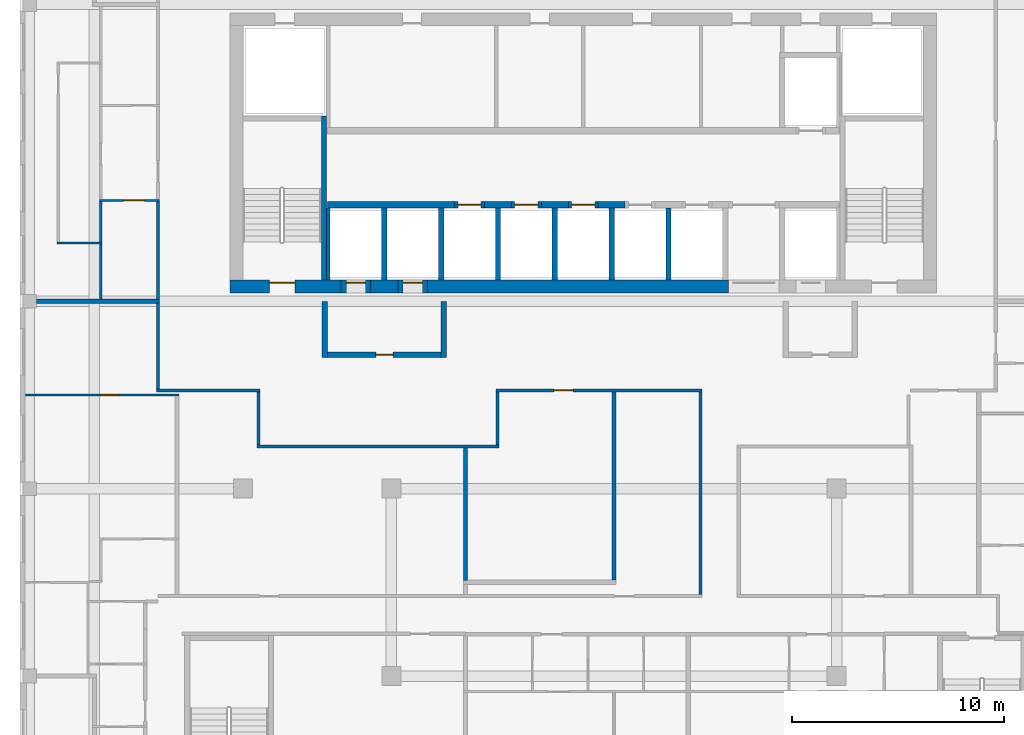
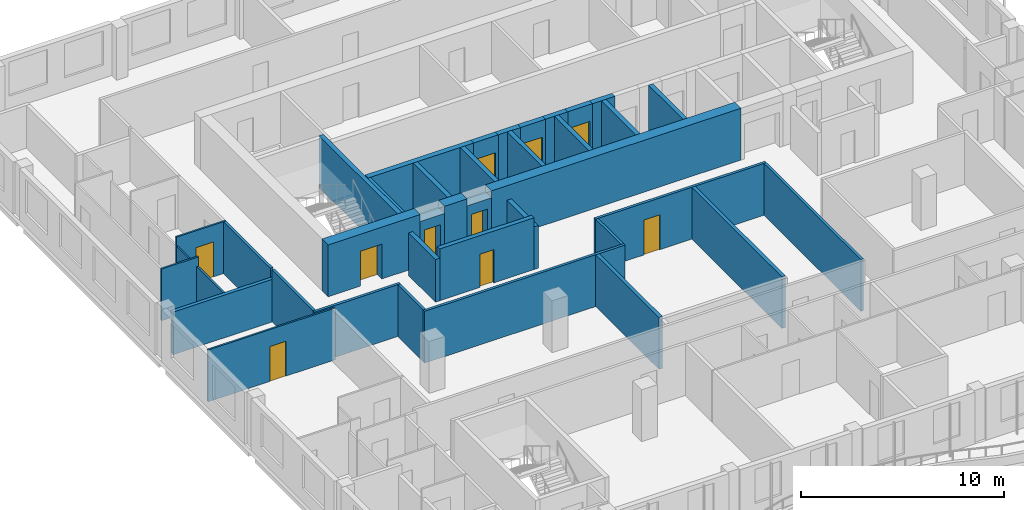
# One storey, part 4 of 18: 39 walls, 10 doors, 10 openings.
"""IFC4 building model written with IfcOpenShell, lengths in metres."""

import ifcopenshell
import ifcopenshell.guid

model = None  # the IFC model being written
_history = None  # IfcOwnerHistory: only IFC2X3 demands one
_inside = {}  # id of a spatial element -> (the spatial element, [elements in it])
_under = {}  # id of a project, library or spatial element -> (it, [spatial elements below it])
_declared = {}  # id of a project -> (the project, [libraries it declares])
_typed = {}  # id of a type object -> (the type object, [elements of that type])
_made_of = {}  # id of a material, layer set ... -> (it, [elements and type objects made of it])


def new_model(schema):
    """Start an empty IFC model of exactly this schema.

    Asked for "IFC4X3", IfcOpenShell would pick the latest addendum, in which some entities
    have other attributes; the version numbers below select the first issue.
    IFC2X3 requires an IfcOwnerHistory on every rooted entity: one is made here for all.
    """
    global model, _history
    if schema == "IFC4X3":
        model = ifcopenshell.file(schema_version=(4, 3, 0, 0))
    else:
        model = ifcopenshell.file(schema=schema)
    _inside.clear()
    _under.clear()
    _declared.clear()
    _typed.clear()
    _made_of.clear()
    _history = None
    if model.schema == "IFC2X3":
        org = make("IfcOrganization", Name="unknown")
        user = make(
            "IfcPersonAndOrganization",
            ThePerson=make("IfcPerson", FamilyName="unknown"),
            TheOrganization=org,
        )
        app = make(
            "IfcApplication",
            ApplicationDeveloper=org,
            Version="unknown",
            ApplicationFullName="unknown",
            ApplicationIdentifier="unknown",
        )
        _history = make(
            "IfcOwnerHistory",
            OwningUser=user,
            OwningApplication=app,
            ChangeAction="ADDED",
            CreationDate=0,
        )
    return model


def make(cls, **values):
    """One entity of the class cls with the attributes given. An attribute that is None is left unset."""
    return model.create_entity(
        cls, **{name: value for name, value in values.items() if value is not None}
    )


def rooted(cls, **values):
    """An entity with a GlobalId (a new one), such as an element, a storey or a relation."""
    return make(cls, GlobalId=ifcopenshell.guid.new(), OwnerHistory=_history, **values)


def si_unit(unit_type, name, prefix=None):
    """IfcSIUnit, for example si_unit("LENGTHUNIT", "METRE", prefix="MILLI")."""
    return make("IfcSIUnit", UnitType=unit_type, Prefix=prefix, Name=name)


def assignment(units):
    """IfcUnitAssignment: the units of a project."""
    return None if units is None else make("IfcUnitAssignment", Units=units)


def point(xyz):
    """IfcCartesianPoint."""
    return None if xyz is None else make("IfcCartesianPoint", Coordinates=xyz)


def direction(xyz):
    """IfcDirection."""
    return None if xyz is None else make("IfcDirection", DirectionRatios=xyz)


def frame(location, z_axis=None, x_axis=None):
    """IfcAxis2Placement3D, a coordinate frame: its origin and axes. An axis left out is left unset."""
    return make(
        "IfcAxis2Placement3D",
        Location=point(location),
        Axis=direction(z_axis),
        RefDirection=direction(x_axis),
    )


def frame_2d(location, x_axis=None):
    """IfcAxis2Placement2D, a coordinate frame in the plane: its origin and x axis."""
    return make(
        "IfcAxis2Placement2D", Location=point(location), RefDirection=direction(x_axis)
    )


def origin():
    """The frame at (0, 0, 0) with its axes left unset."""
    return frame((0.0, 0.0, 0.0))


def place(relative_to, where):
    """IfcLocalPlacement: puts the frame where relative to a parent placement (None: the world)."""
    return make(
        "IfcLocalPlacement", PlacementRelTo=relative_to, RelativePlacement=where
    )


def context(
    kind, dimensions, precision=None, world=None, true_north=None, identifier=None
):
    """IfcGeometricRepresentationContext, for example the 3D "Model" context."""
    return make(
        "IfcGeometricRepresentationContext",
        ContextIdentifier=identifier,
        ContextType=kind,
        CoordinateSpaceDimension=dimensions,
        Precision=precision,
        WorldCoordinateSystem=world,
        TrueNorth=true_north,
    )


def subcontext(parent, identifier, kind, view, scale=None):
    """IfcGeometricRepresentationSubContext, for example "Body" below "Model"."""
    return make(
        "IfcGeometricRepresentationSubContext",
        ContextIdentifier=identifier,
        ContextType=kind,
        ParentContext=parent,
        TargetScale=scale,
        TargetView=view,
    )


def project(units=None, contexts=None):
    """IfcProject with its units and contexts."""
    return rooted(
        "IfcProject",
        Name="project",
        RepresentationContexts=contexts,
        UnitsInContext=assignment(units),
    )


def spatial(cls, under=None, at=None, **own):
    """A site, building, storey or space (cls), placed at a placement, below another one or the project."""
    s = rooted(cls, ObjectPlacement=at, **own)
    if under is not None:
        _under.setdefault(under.id(), (under, []))[1].append(s)
    return s


def profile(cls, at=None, kind="AREA", **sizes):
    """A parametric profile (cls). Its sizes go by their IFC names, for example OverallWidth=200.0."""
    return make(cls, ProfileType=kind, Position=at, **sizes)


def rectangle(**sizes):
    """IfcRectangleProfileDef."""
    return profile("IfcRectangleProfileDef", **sizes)


def extrude(swept, where, along, depth):
    """IfcExtrudedAreaSolid: the profile swept, set in the frame where, extruded along a direction by depth."""
    return make(
        "IfcExtrudedAreaSolid",
        SweptArea=swept,
        Position=where,
        ExtrudedDirection=direction(along),
        Depth=depth,
    )


def shape(context_of_items, identifier, shape_type, items):
    """IfcShapeRepresentation: the items that make up one representation, for example the "Body"."""
    return make(
        "IfcShapeRepresentation",
        ContextOfItems=context_of_items,
        RepresentationIdentifier=identifier,
        RepresentationType=shape_type,
        Items=items,
    )


def source(mapping_origin, context_of_items, identifier, shape_type, items):
    """IfcRepresentationMap: a shape defined once, which mapped items show again and again."""
    return make(
        "IfcRepresentationMap",
        MappingOrigin=mapping_origin,
        MappedRepresentation=shape(context_of_items, identifier, shape_type, items),
    )


def transform(
    local_origin,
    x_axis=None,
    y_axis=None,
    z_axis=None,
    scale=None,
    scale2=None,
    scale3=None,
    uniform=True,
):
    """IfcCartesianTransformationOperator3D, or its non-uniform kind. x_axis, y_axis, z_axis: its Axis1, 2, 3."""
    if uniform:
        return make(
            "IfcCartesianTransformationOperator3D",
            Axis1=direction(x_axis),
            Axis2=direction(y_axis),
            LocalOrigin=point(local_origin),
            Scale=scale,
            Axis3=direction(z_axis),
        )
    return make(
        "IfcCartesianTransformationOperator3DnonUniform",
        Axis1=direction(x_axis),
        Axis2=direction(y_axis),
        LocalOrigin=point(local_origin),
        Scale=scale,
        Axis3=direction(z_axis),
        Scale2=scale2,
        Scale3=scale3,
    )


def mapped(mapping_source, mapping_target):
    """IfcMappedItem: shows the shape of a source again, moved by a transform."""
    return make(
        "IfcMappedItem", MappingSource=mapping_source, MappingTarget=mapping_target
    )


def material(Name=None, Category=None):
    """IfcMaterial."""
    return make("IfcMaterial", Name=Name, Category=Category)


def layer(
    of_material, thickness, ventilated=None, Name=None, Category=None, Priority=None
):
    """IfcMaterialLayer: one layer of a wall or slab, of a material (None: an air gap)."""
    return make(
        "IfcMaterialLayer",
        Material=of_material,
        LayerThickness=thickness,
        IsVentilated=ventilated,
        Name=Name,
        Category=Category,
        Priority=Priority,
    )


def layer_set(layers, Name=None):
    """IfcMaterialLayerSet."""
    return make("IfcMaterialLayerSet", MaterialLayers=layers, LayerSetName=Name)


def made_of(thing, what):
    """Note that an element or type object is made of a material, layer set ...; save() writes the relation."""
    if what is not None:
        _made_of.setdefault(what.id(), (what, []))[1].append(thing)
    return thing


def type_object(cls, material=None, **own):
    """A type object (cls), such as IfcWallType, which elements share."""
    return made_of(rooted(cls, **own), material)


def element(
    cls,
    number,
    at=None,
    inside=None,
    cuts=None,
    type_object=None,
    material=None,
    context=None,
    identifier="Body",
    shape_type=None,
    held_by="IfcProductDefinitionShape",
    body=None,
    shapes=None,
    **own,
):
    """One element of the class cls, such as IfcWall. Its Tag is "e" and its number.

    at: its placement. inside: the storey or other place that contains it. cuts: it is an
    opening in that element (IfcRelVoidsElement). A single representation is given by context,
    identifier, shape_type and body (its items); several are given by shapes. held_by: the class
    of the entity that holds the representations. save() writes the other relations.
    """
    e = rooted(cls, Tag="e%d" % number, ObjectPlacement=at, **own)
    if body is not None:
        shapes = [shape(context, identifier, shape_type, body)]
    if shapes is not None:
        e.Representation = make(held_by, Representations=shapes)
    if inside is not None:
        _inside.setdefault(inside.id(), (inside, []))[1].append(e)
    if cuts is not None:
        rooted(
            "IfcRelVoidsElement", RelatingBuildingElement=cuts, RelatedOpeningElement=e
        )
    if type_object is not None:
        _typed.setdefault(type_object.id(), (type_object, []))[1].append(e)
    return made_of(e, material)


def fill(opening, filler):
    """IfcRelFillsElement: the door or window that sits in an opening."""
    return rooted(
        "IfcRelFillsElement",
        RelatingOpeningElement=opening,
        RelatedBuildingElement=filler,
    )


def aggregate(whole, parts):
    """IfcRelAggregates: a whole, such as a stair, and the parts it consists of."""
    return rooted("IfcRelAggregates", RelatingObject=whole, RelatedObjects=parts)


def save(model, path):
    """Write the relations noted so far, then the file.

    IfcRelAggregates (storeys below a building ...), IfcRelContainedInSpatialStructure (elements
    in a storey), IfcRelDefinesByType, IfcRelAssociatesMaterial and IfcRelDeclares: one each for
    every whole, place, type object, material and project.
    """
    for whole, parts in _under.values():
        aggregate(whole, parts)
    for where, things in _inside.values():
        rooted(
            "IfcRelContainedInSpatialStructure",
            RelatedElements=things,
            RelatingStructure=where,
        )
    for kind, things in _typed.values():
        rooted("IfcRelDefinesByType", RelatedObjects=things, RelatingType=kind)
    for what, things in _made_of.values():
        rooted("IfcRelAssociatesMaterial", RelatedObjects=things, RelatingMaterial=what)
    for by, libraries in _declared.values():
        rooted("IfcRelDeclares", RelatingContext=by, RelatedDefinitions=libraries)
    model.write(path)


model = new_model("IFC4")

# Units and contexts
model_context = context("Model", 3, precision=1e-05, world=origin(), true_north=direction((0.0, 1.0)))
body_context = subcontext(model_context, "Body", "Model", "MODEL_VIEW")
ifc_project = project(units=[si_unit("LENGTHUNIT", "METRE"), si_unit("AREAUNIT", "SQUARE_METRE"), si_unit("VOLUMEUNIT", "CUBIC_METRE"), si_unit("PLANEANGLEUNIT", "RADIAN"), si_unit("MASSUNIT", "GRAM", prefix="KILO")], contexts=[model_context])

# Site, building, storey
site_placement = place(None, origin())
site = spatial("IfcSite", under=ifc_project, at=site_placement, CompositionType="ELEMENT")
building_placement = place(site_placement, origin())
building = spatial("IfcBuilding", under=site, at=building_placement, Name="Kilnfold Tower and Market Hall", CompositionType="ELEMENT")
storey_placement = place(building_placement, frame((0.0, 0.0, 270.39990234375)))
storey = spatial("IfcBuildingStorey", under=building, at=storey_placement, Name="L66", CompositionType="ELEMENT", Elevation=270.39990234375)

# Walls
ifc_material_1 = material(Name="Gypsum board on steel studs", Category="steel")
ifc_layer_1 = layer(ifc_material_1, 0.14990234375)
ifc_layer_set_1 = layer_set([ifc_layer_1], Name="Gypsum board on steel studs")
wall_type_1 = type_object("IfcWallType", Name="WALL CORRIDOR 150", PredefinedType="PARTITIONING", material=ifc_layer_set_1)
wall_1_placement = place(storey_placement, frame((-19.074951171875, 3.800048828125, 0.0), z_axis=(0.0, 0.0, 1.0), x_axis=(1.0, 0.0, 0.0)))
element("IfcWall", 1, at=wall_1_placement, inside=storey, type_object=wall_type_1, Name="Partition LY41.7", PredefinedType="PARTITIONING", context=body_context, shape_type="SweptSolid", body=[
    extrude(rectangle(XDim=4.889892578125, YDim=0.14990234375, at=frame_2d((2.44482421875, 0.0))), origin(), (0.0, 0.0, 1.0), 3.1201171875),
])
wall_2_placement = place(storey_placement, frame((-19.0, 3.875, 0.0), z_axis=(0.0, 0.0, 1.0), x_axis=(0.0, 1.0, 0.0)))
element("IfcWall", 2, at=wall_2_placement, inside=storey, type_object=wall_type_1, Name="Partition LY41.8", PredefinedType="PARTITIONING", context=body_context, shape_type="SweptSolid", body=[
    extrude(rectangle(XDim=4.034912109375, YDim=0.14990234375, at=frame_2d((2.017578125, 0.0))), origin(), (0.0, 0.0, 1.0), 3.1201171875),
])
wall_3_placement = place(storey_placement, frame((-19.0, 8.090087890625, 0.0), z_axis=(0.0, 0.0, 1.0), x_axis=(0.0, 1.0, 0.0)))
element("IfcWall", 3, at=wall_3_placement, inside=storey, type_object=wall_type_1, Name="Partition LY41.24", PredefinedType="PARTITIONING", context=body_context, shape_type="SweptSolid", body=[
    extrude(rectangle(XDim=4.6298828125, YDim=0.14990234375, at=frame_2d((2.31494140625, 0.0))), origin(), (0.0, 0.0, 1.0), 3.1201171875),
])
wall_4_placement = place(storey_placement, frame((-14.3349609375, 1.14990234375, 0.0), z_axis=(0.0, 0.0, 1.0), x_axis=(1.0, 0.0, 0.0)))
element("IfcWall", 4, at=wall_4_placement, inside=storey, type_object=wall_type_1, Name="Partition LY41.27", PredefinedType="PARTITIONING", context=body_context, shape_type="SweptSolid", body=[
    extrude(rectangle(XDim=11.409912109375, YDim=0.14990234375, at=frame_2d((5.705078125, 0.0))), origin(), (0.0, 0.0, 1.0), 3.1201171875),
])
wall_5_placement = place(storey_placement, frame((-14.260009765625, 3.72509765625, 0.0), z_axis=(0.0, 0.0, 1.0), x_axis=(0.0, -1.0, 0.0)))
element("IfcWall", 5, at=wall_5_placement, inside=storey, type_object=wall_type_1, Name="Partition LY41.28", PredefinedType="PARTITIONING", context=body_context, shape_type="SweptSolid", body=[
    extrude(rectangle(XDim=2.5, YDim=0.14990234375, at=frame_2d((1.25, 0.0))), origin(), (0.0, 0.0, 1.0), 3.1201171875),
])

# Wall, opening, door
wall_6_placement = place(storey_placement, frame((-3.074951171875, 3.800048828125, 0.0), z_axis=(0.0, 0.0, 1.0), x_axis=(1.0, 0.0, 0.0)))
wall_6 = element("IfcWall", 6, at=wall_6_placement, inside=storey, type_object=wall_type_1, Name="Partition LY41.29", PredefinedType="PARTITIONING", context=body_context, shape_type="SweptSolid", body=[
    extrude(rectangle(XDim=9.72998046875, YDim=0.14990234375, at=frame_2d((4.864990234375, 0.0))), origin(), (0.0, 0.0, 1.0), 3.1201171875),
])
opening_1_placement = place(wall_6_placement, frame((2.7509765625, 0.0, 0.0)))
opening_1 = element("IfcOpeningElement", 7, at=opening_1_placement, cuts=wall_6, Name="Opening D2", PredefinedType="OPENING", context=body_context, shape_type="SweptSolid", body=[
    extrude(rectangle(XDim=0.89990234375, YDim=2.10009765625, at=frame_2d((0.449951171875, 1.050048828125))), frame((0.0, 0.0849609375, 0.0), z_axis=(0.0, -1.0, 0.0), x_axis=(1.0, 0.0, 0.0)), (0.0, 0.0, 1.0), 0.169921875),
])
ifc_material_2 = material(Name="Timber veneer door leaf in steel frame", Category="steel")
door_type_1 = type_object("IfcDoorType", Name="DOOR ROOM 900 X2100", OperationType="NOTDEFINED", PredefinedType="DOOR", material=ifc_material_2)
door_1_placement = place(opening_1_placement, origin())
door_1 = element("IfcDoor", 8, at=door_1_placement, inside=storey, type_object=door_type_1, Name="Door D2", OperationType="SINGLE_SWING_RIGHT", OverallHeight=2.10009765625, OverallWidth=0.89990234375, PredefinedType="DOOR", context=body_context, shape_type="SweptSolid", body=[
    extrude(rectangle(XDim=0.89990234375, YDim=2.10009765625, at=frame_2d((0.449951171875, 1.050048828125))), frame((0.0, 0.02490234375, 0.0), z_axis=(0.0, -1.0, 0.0), x_axis=(1.0, 0.0, 0.0)), (0.0, 0.0, 1.0), 0.050048828125),
])
fill(opening_1, door_1)

# Walls
wall_7_placement = place(storey_placement, frame((-3.0, 1.22509765625, 0.0), z_axis=(0.0, 0.0, 1.0), x_axis=(0.0, 1.0, 0.0)))
element("IfcWall", 9, at=wall_7_placement, inside=storey, type_object=wall_type_1, Name="Partition LY41.30", PredefinedType="PARTITIONING", context=body_context, shape_type="SweptSolid", body=[
    extrude(rectangle(XDim=2.5, YDim=0.14990234375, at=frame_2d((1.25, 0.0))), origin(), (0.0, 0.0, 1.0), 3.1201171875),
])
wall_8_placement = place(storey_placement, frame((6.580078125, 3.72509765625, 0.0), z_axis=(0.0, 0.0, 1.0), x_axis=(0.0, -1.0, 0.0)))
element("IfcWall", 10, at=wall_8_placement, inside=storey, type_object=wall_type_1, Name="Partition LY41.31", PredefinedType="PARTITIONING", context=body_context, shape_type="SweptSolid", body=[
    extrude(rectangle(XDim=9.550048828125, YDim=0.14990234375, at=frame_2d((4.77490234375, 0.0))), origin(), (0.0, 0.0, 1.0), 3.1201171875),
])

# Wall, opening, door
ifc_material_3 = material(Name="Gypsum board on steel studs", Category="steel")
ifc_layer_2 = layer(ifc_material_3, 0.10009765625)
ifc_layer_set_2 = layer_set([ifc_layer_2], Name="Gypsum board on steel studs")
wall_type_2 = type_object("IfcWallType", Name="WALL PARTITION 100", PredefinedType="PARTITIONING", material=ifc_layer_set_2)
wall_9_placement = place(storey_placement, frame((-18.0, 3.5830078125, 0.0), z_axis=(0.0, 0.0, 1.0), x_axis=(-1.0, 0.0, 0.0)))
wall_9 = element("IfcWall", 11, at=wall_9_placement, inside=storey, type_object=wall_type_2, Name="Partition LY41.52", PredefinedType="PARTITIONING", context=body_context, shape_type="SweptSolid", body=[
    extrude(rectangle(XDim=7.25, YDim=0.10009765625, at=frame_2d((3.625, 0.0))), origin(), (0.0, 0.0, 1.0), 3.1201171875),
])
opening_2_placement = place(wall_9_placement, frame((2.822021484375, 0.0, 0.0)))
opening_2 = element("IfcOpeningElement", 12, at=opening_2_placement, cuts=wall_9, Name="Opening D2", PredefinedType="OPENING", context=body_context, shape_type="SweptSolid", body=[
    extrude(rectangle(XDim=0.89990234375, YDim=2.10009765625, at=frame_2d((0.449951171875, 1.050048828125))), frame((0.0, 0.06005859375, 0.0), z_axis=(0.0, -1.0, 0.0), x_axis=(1.0, 0.0, 0.0)), (0.0, 0.0, 1.0), 0.1201171875),
])
door_2_placement = place(opening_2_placement, origin())
door_2 = element("IfcDoor", 13, at=door_2_placement, inside=storey, type_object=door_type_1, Name="Door D2", OperationType="SINGLE_SWING_LEFT", OverallHeight=2.10009765625, OverallWidth=0.89990234375, PredefinedType="DOOR", context=body_context, shape_type="SweptSolid", body=[
    extrude(rectangle(XDim=0.89990234375, YDim=2.10009765625, at=frame_2d((0.449951171875, 1.050048828125))), frame((0.0, 0.02490234375, 0.0), z_axis=(0.0, -1.0, 0.0), x_axis=(1.0, 0.0, 0.0)), (0.0, 0.0, 1.0), 0.050048828125),
])
fill(opening_2, door_2)

wall_10_placement = place(storey_placement, frame((-18.927001953125, 12.760009765625, 0.0), z_axis=(0.0, 0.0, 1.0), x_axis=(-1.0, 0.0, 0.0)))
wall_10 = element("IfcWall", 14, at=wall_10_placement, inside=storey, type_object=wall_type_2, Name="Partition LY41.85", PredefinedType="PARTITIONING", context=body_context, shape_type="SweptSolid", body=[
    extrude(rectangle(XDim=2.822998046875, YDim=0.10009765625, at=frame_2d((1.41162109375, 0.0))), origin(), (0.0, 0.0, 1.0), 3.1201171875),
])
opening_3_placement = place(wall_10_placement, frame((0.7080078125, 0.0, 0.0)))
opening_3 = element("IfcOpeningElement", 15, at=opening_3_placement, cuts=wall_10, Name="Opening D1", PredefinedType="OPENING", context=body_context, shape_type="SweptSolid", body=[
    extrude(rectangle(XDim=1.0, YDim=2.10009765625, at=frame_2d((0.5, 1.050048828125))), frame((0.0, 0.06005859375, 0.0), z_axis=(0.0, -1.0, 0.0), x_axis=(1.0, 0.0, 0.0)), (0.0, 0.0, 1.0), 0.1201171875),
])
ifc_material_4 = material(Name="Timber veneer door leaf in steel frame", Category="steel")
door_type_2 = type_object("IfcDoorType", Name="DOOR ENTRY 1000 X2100", OperationType="NOTDEFINED", PredefinedType="DOOR", material=ifc_material_4)
door_3_placement = place(opening_3_placement, origin())
door_3 = element("IfcDoor", 16, at=door_3_placement, inside=storey, type_object=door_type_2, Name="Door D1", OperationType="SINGLE_SWING_LEFT", OverallHeight=2.10009765625, OverallWidth=1.0, PredefinedType="DOOR", context=body_context, shape_type="SweptSolid", body=[
    extrude(rectangle(XDim=1.0, YDim=2.10009765625, at=frame_2d((0.5, 1.050048828125))), frame((0.0, 0.02490234375, 0.0), z_axis=(0.0, -1.0, 0.0), x_axis=(1.0, 0.0, 0.0)), (0.0, 0.0, 1.0), 0.050048828125),
])
fill(opening_3, door_3)

# Walls
wall_11_placement = place(storey_placement, frame((-21.699951171875, 8.10009765625, 0.0), z_axis=(0.0, 0.0, 1.0), x_axis=(0.0, 1.0, 0.0)))
element("IfcWall", 17, at=wall_11_placement, inside=storey, type_object=wall_type_2, Name="Partition LY41.86", PredefinedType="PARTITIONING", context=body_context, shape_type="SweptSolid", body=[
    extrude(rectangle(XDim=2.618896484375, YDim=0.10009765625, at=frame_2d((1.3095703125, 0.0))), origin(), (0.0, 0.0, 1.0), 2.570068359375),
])
wall_12_placement = place(storey_placement, frame((-21.699951171875, 10.800048828125, 0.0), z_axis=(0.0, 0.0, 1.0), x_axis=(0.0, 1.0, 0.0)))
element("IfcWall", 18, at=wall_12_placement, inside=storey, type_object=wall_type_2, Name="Partition LY41.87", PredefinedType="PARTITIONING", context=body_context, shape_type="SweptSolid", body=[
    extrude(rectangle(XDim=1.909912109375, YDim=0.10009765625, at=frame_2d((0.955078125, 0.0))), origin(), (0.0, 0.0, 1.0), 2.570068359375),
])
wall_13_placement = place(storey_placement, frame((-21.652099609375, 10.759033203125, 0.0), z_axis=(0.0, 0.0, 1.0), x_axis=(-1.0, 0.0, 0.0)))
element("IfcWall", 19, at=wall_13_placement, inside=storey, type_object=wall_type_2, Name="Partition LY41.94", PredefinedType="PARTITIONING", context=body_context, shape_type="SweptSolid", body=[
    extrude(rectangle(XDim=2.098876953125, YDim=0.10009765625, at=frame_2d((1.04931640625, 0.0))), origin(), (0.0, 0.0, 1.0), 3.1201171875),
])
ifc_material_5 = material(Name="Gypsum board on steel studs", Category="steel")
ifc_layer_3 = layer(ifc_material_5, 0.199951171875)
ifc_layer_set_3 = layer_set([ifc_layer_3], Name="Gypsum board on steel studs")
wall_type_3 = type_object("IfcWallType", Name="WALL PARTY 200", PredefinedType="PARTITIONING", material=ifc_layer_set_3)
wall_14_placement = place(storey_placement, frame((-24.72509765625, 8.0, 0.0), z_axis=(0.0, 0.0, 1.0), x_axis=(1.0, 0.0, 0.0)))
element("IfcWall", 20, at=wall_14_placement, inside=storey, type_object=wall_type_3, Name="Partition LY41.54", PredefinedType="PARTITIONING", context=body_context, shape_type="SweptSolid", body=[
    extrude(rectangle(XDim=5.798095703125, YDim=0.199951171875, at=frame_2d((2.89892578125, 0.0))), origin(), (0.0, 0.0, 1.0), 2.570068359375),
])
wall_15_placement = place(storey_placement, frame((-4.5, -5.159912109375, 0.0), z_axis=(0.0, 0.0, 1.0), x_axis=(0.0, 1.0, 0.0)))
element("IfcWall", 21, at=wall_15_placement, inside=storey, type_object=wall_type_3, Name="Partition LY41.95", PredefinedType="PARTITIONING", context=body_context, shape_type="SweptSolid", body=[
    extrude(rectangle(XDim=6.23291015625, YDim=0.199951171875, at=frame_2d((3.116455078125, 0.0))), origin(), (0.0, 0.0, 1.0), 3.1201171875),
])
wall_16_placement = place(storey_placement, frame((2.5, -5.14990234375, 0.0), z_axis=(0.0, 0.0, 1.0), x_axis=(0.0, 1.0, 0.0)))
element("IfcWall", 22, at=wall_16_placement, inside=storey, type_object=wall_type_3, Name="Partition LY41.97", PredefinedType="PARTITIONING", context=body_context, shape_type="SweptSolid", body=[
    extrude(rectangle(XDim=8.872802734375, YDim=0.199951171875, at=frame_2d((4.4365234375, 0.0))), origin(), (0.0, 0.0, 1.0), 3.1201171875),
])
ifc_material_6 = material(Name="Concrete C50", Category="concrete")
ifc_layer_4 = layer(ifc_material_6, 0.25)
ifc_layer_set_4 = layer_set([ifc_layer_4], Name="Concrete C50")
wall_type_4 = type_object("IfcWallType", Name="CORE WALL 250 C50", PredefinedType="SHEAR", material=ifc_layer_set_4)
shared_shape_1 = source(origin(), body_context, "Body", "SweptSolid", [
    extrude(rectangle(XDim=7.75, YDim=0.25, at=frame_2d((3.875, 0.0))), origin(), (0.0, 0.0, 1.0), 3.1201171875),
])
wall_17_placement = place(storey_placement, frame((-11.175048828125, 9.0, 0.0), z_axis=(0.0, 0.0, 1.0), x_axis=(0.0, 1.0, 0.0)))
element("IfcWall", 23, at=wall_17_placement, inside=storey, type_object=wall_type_4, Name="Stair enclosure ST1", PredefinedType="SHEAR", context=body_context, shape_type="MappedRepresentation", body=[
    mapped(shared_shape_1, transform((0.0, 0.0, 0.0))),
])
ifc_material_7 = material(Name="Concrete C50", Category="concrete")
ifc_layer_5 = layer(ifc_material_7, 0.300048828125)
ifc_layer_set_5 = layer_set([ifc_layer_5], Name="Concrete C50")
wall_type_5 = type_object("IfcWallType", Name="CORE WALL 300 C50", PredefinedType="SHEAR", material=ifc_layer_set_5)
shared_shape_2 = source(origin(), body_context, "Body", "SweptSolid", [
    extrude(rectangle(XDim=6.0, YDim=0.300048828125, at=frame_2d((3.0, 0.0))), origin(), (0.0, 0.0, 1.0), 3.1201171875),
])
wall_18_placement = place(storey_placement, frame((-11.010009765625, 12.550048828125, 0.0), z_axis=(0.0, 0.0, 1.0), x_axis=(1.0, 0.0, 0.0)))
element("IfcWall", 24, at=wall_18_placement, inside=storey, type_object=wall_type_5, Name="Core spine wall", PredefinedType="SHEAR", context=body_context, shape_type="MappedRepresentation", body=[
    mapped(shared_shape_2, transform((0.0, 0.0, 0.0))),
])
shared_shape_3 = source(origin(), body_context, "Body", "SweptSolid", [
    extrude(rectangle(XDim=1.280029296875, YDim=0.300048828125, at=frame_2d((0.64013671875, 0.0))), origin(), (0.0, 0.0, 1.0), 3.1201171875),
])
for number, where, z_axis, x_axis, name in (
    (25, (-3.610107421875, 12.550048828125, 0.0), (0.0, 0.0, 1.0), (1.0, 0.0, 0.0), "Core spine wall"),
    (26, (-0.929931640625, 12.550048828125, 0.0), (0.0, 0.0, 1.0), (1.0, 0.0, 0.0), "Core spine wall"),
    (27, (1.75, 12.550048828125, 0.0), (0.0, 0.0, 1.0), (1.0, 0.0, 0.0), "Core spine wall"),
):
    element("IfcWall", number, at=place(storey_placement, frame(where, z_axis=z_axis, x_axis=x_axis)), inside=storey, type_object=wall_type_5, Name=name, PredefinedType="SHEAR", context=body_context, shape_type="MappedRepresentation", body=[
        mapped(shared_shape_3, transform((0.0, 0.0, 0.0))),
    ])

# Wall, opening, door
ifc_material_8 = material(Name="Concrete C50", Category="concrete")
ifc_layer_6 = layer(ifc_material_8, 0.60009765625)
ifc_layer_set_6 = layer_set([ifc_layer_6], Name="Concrete C50")
wall_type_6 = type_object("IfcWallType", Name="CORE WALL 600 C50", PredefinedType="SHEAR", material=ifc_layer_set_6)
shared_shape_4 = source(origin(), body_context, "Body", "SweptSolid", [
    extrude(rectangle(XDim=5.22998046875, YDim=0.60009765625, at=frame_2d((2.614990234375, 0.0))), origin(), (0.0, 0.0, 1.0), 3.1201171875),
])
wall_19_placement = place(storey_placement, frame((-15.60009765625, 8.699951171875, 0.0), z_axis=(0.0, 0.0, 1.0), x_axis=(1.0, 0.0, 0.0)))
wall_19 = element("IfcWall", 28, at=wall_19_placement, inside=storey, type_object=wall_type_6, Name="Core outer wall south", PredefinedType="SHEAR", context=body_context, shape_type="MappedRepresentation", body=[
    mapped(shared_shape_4, transform((0.0, 0.0, 0.0))),
])
opening_4_placement = place(wall_19_placement, frame((1.85009765625, 0.0, 0.0)))
opening_4 = element("IfcOpeningElement", 29, at=opening_4_placement, cuts=wall_19, Name="Opening SD1", PredefinedType="OPENING", context=body_context, shape_type="SweptSolid", body=[
    extrude(rectangle(XDim=1.199951171875, YDim=2.10009765625, at=frame_2d((0.60009765625, 1.050048828125))), frame((0.0, 0.31005859375, 0.0), z_axis=(0.0, -1.0, 0.0), x_axis=(1.0, 0.0, 0.0)), (0.0, 0.0, 1.0), 0.6201171875),
])
ifc_material_9 = material(Name="Steel door set with fire-resisting leaf", Category="steel")
door_type_3 = type_object("IfcDoorType", Name="STAIR FLOOR DOOR 1200X2100", OperationType="NOTDEFINED", PredefinedType="DOOR", material=ifc_material_9)
door_4_placement = place(opening_4_placement, origin())
door_4 = element("IfcDoor", 30, at=door_4_placement, inside=storey, type_object=door_type_3, Name="Exit stair ST1 door", OperationType="DOUBLE_DOOR_SINGLE_SWING", OverallHeight=2.10009765625, OverallWidth=1.199951171875, PredefinedType="DOOR", context=body_context, shape_type="SweptSolid", body=[
    extrude(rectangle(XDim=1.199951171875, YDim=2.10009765625, at=frame_2d((0.60009765625, 1.050048828125))), frame((0.0, 0.205078125, 0.0), z_axis=(0.0, -1.0, 0.0), x_axis=(1.0, 0.0, 0.0)), (0.0, 0.0, 1.0), 0.050048828125),
])
fill(opening_4, door_4)

# Walls
shared_shape_5 = source(origin(), body_context, "Body", "SweptSolid", [
    extrude(rectangle(XDim=1.280029296875, YDim=0.60009765625, at=frame_2d((0.64013671875, 0.0))), origin(), (0.0, 0.0, 1.0), 3.1201171875),
])
wall_20_placement = place(storey_placement, frame((-8.969970703125, 8.699951171875, 0.0), z_axis=(0.0, 0.0, 1.0), x_axis=(1.0, 0.0, 0.0)))
element("IfcWall", 31, at=wall_20_placement, inside=storey, type_object=wall_type_6, Name="Core outer wall south", PredefinedType="SHEAR", context=body_context, shape_type="MappedRepresentation", body=[
    mapped(shared_shape_5, transform((0.0, 0.0, 0.0))),
])
shared_shape_6 = source(origin(), body_context, "Body", "SweptSolid", [
    extrude(rectangle(XDim=14.179931640625, YDim=0.60009765625, at=frame_2d((7.08984375, 0.0))), origin(), (0.0, 0.0, 1.0), 3.1201171875),
])
wall_21_placement = place(storey_placement, frame((-6.2900390625, 8.699951171875, 0.0), z_axis=(0.0, 0.0, 1.0), x_axis=(1.0, 0.0, 0.0)))
element("IfcWall", 32, at=wall_21_placement, inside=storey, type_object=wall_type_6, Name="Core outer wall south", PredefinedType="SHEAR", context=body_context, shape_type="MappedRepresentation", body=[
    mapped(shared_shape_6, transform((0.0, 0.0, 0.0))),
])

# Wall, opening, door
ifc_material_10 = material(Name="Gypsum shaft wall system")
ifc_layer_7 = layer(ifc_material_10, 0.300048828125)
ifc_layer_set_7 = layer_set([ifc_layer_7], Name="Gypsum shaft wall system")
wall_type_7 = type_object("IfcWallType", Name="SHAFT WALL 300", PredefinedType="PARTITIONING", material=ifc_layer_set_7)
shared_shape_7 = source(origin(), body_context, "Body", "SweptSolid", [
    extrude(rectangle(XDim=1.39990234375, YDim=0.300048828125, at=frame_2d((0.699951171875, 0.0))), origin(), (0.0, 0.0, 1.0), 3.1201171875),
])
wall_22_placement = place(storey_placement, frame((-5.010009765625, 12.550048828125, 0.0), z_axis=(0.0, 0.0, 1.0), x_axis=(1.0, 0.0, 0.0)))
wall_22 = element("IfcWall", 33, at=wall_22_placement, inside=storey, type_object=wall_type_7, Name="Lift shaft front wall", PredefinedType="PARTITIONING", context=body_context, shape_type="MappedRepresentation", body=[
    mapped(shared_shape_7, transform((0.0, 0.0, 0.0))),
])
opening_5_placement = place(wall_22_placement, frame((0.14990234375, 0.0, 0.0)))
opening_5 = element("IfcOpeningElement", 34, at=opening_5_placement, cuts=wall_22, Name="Opening LD2", PredefinedType="OPENING", context=body_context, shape_type="SweptSolid", body=[
    extrude(rectangle(XDim=1.10009765625, YDim=2.10009765625, at=frame_2d((0.550048828125, 1.050048828125))), frame((0.0, 0.16015625, 0.0), z_axis=(0.0, -1.0, 0.0), x_axis=(1.0, 0.0, 0.0)), (0.0, 0.0, 1.0), 0.320068359375),
])
ifc_material_11 = material(Name="Steel door set with fire-resisting leaf", Category="steel")
door_type_4 = type_object("IfcDoorType", Name="LANDING DOOR 1100X2100", OperationType="NOTDEFINED", PredefinedType="DOOR", material=ifc_material_11)
door_5_placement = place(opening_5_placement, origin())
door_5 = element("IfcDoor", 35, at=door_5_placement, inside=storey, type_object=door_type_4, Name="Landing door HR1", OperationType="DOUBLE_DOOR_SLIDING", OverallHeight=2.10009765625, OverallWidth=1.10009765625, PredefinedType="DOOR", context=body_context, shape_type="SweptSolid", body=[
    extrude(rectangle(XDim=1.10009765625, YDim=2.10009765625, at=frame_2d((0.550048828125, 1.050048828125))), frame((0.0, 0.02490234375, 0.0), z_axis=(0.0, -1.0, 0.0), x_axis=(1.0, 0.0, 0.0)), (0.0, 0.0, 1.0), 0.050048828125),
])
fill(opening_5, door_5)

wall_23_placement = place(storey_placement, frame((0.35009765625, 12.550048828125, 0.0), z_axis=(0.0, 0.0, 1.0), x_axis=(1.0, 0.0, 0.0)))
wall_23 = element("IfcWall", 36, at=wall_23_placement, inside=storey, type_object=wall_type_7, Name="Lift shaft front wall", PredefinedType="PARTITIONING", context=body_context, shape_type="MappedRepresentation", body=[
    mapped(shared_shape_7, transform((0.0, 0.0, 0.0))),
])
opening_6_placement = place(wall_23_placement, frame((0.14990234375, 0.0, 0.0)))
opening_6 = element("IfcOpeningElement", 37, at=opening_6_placement, cuts=wall_23, Name="Opening LD2", PredefinedType="OPENING", context=body_context, shape_type="SweptSolid", body=[
    extrude(rectangle(XDim=1.10009765625, YDim=2.10009765625, at=frame_2d((0.550048828125, 1.050048828125))), frame((0.0, 0.16015625, 0.0), z_axis=(0.0, -1.0, 0.0), x_axis=(1.0, 0.0, 0.0)), (0.0, 0.0, 1.0), 0.320068359375),
])
door_6_placement = place(opening_6_placement, origin())
door_6 = element("IfcDoor", 38, at=door_6_placement, inside=storey, type_object=door_type_4, Name="Landing door HR3", OperationType="DOUBLE_DOOR_SLIDING", OverallHeight=2.10009765625, OverallWidth=1.10009765625, PredefinedType="DOOR", context=body_context, shape_type="SweptSolid", body=[
    extrude(rectangle(XDim=1.10009765625, YDim=2.10009765625, at=frame_2d((0.550048828125, 1.050048828125))), frame((0.0, 0.02490234375, 0.0), z_axis=(0.0, -1.0, 0.0), x_axis=(1.0, 0.0, 0.0)), (0.0, 0.0, 1.0), 0.050048828125),
])
fill(opening_6, door_6)

shared_shape_8 = source(origin(), body_context, "Body", "SweptSolid", [
    extrude(rectangle(XDim=1.400146484375, YDim=0.300048828125, at=frame_2d((0.7001953125, 0.0))), origin(), (0.0, 0.0, 1.0), 3.1201171875),
])
wall_24_placement = place(storey_placement, frame((-2.330078125, 12.550048828125, 0.0), z_axis=(0.0, 0.0, 1.0), x_axis=(1.0, 0.0, 0.0)))
wall_24 = element("IfcWall", 39, at=wall_24_placement, inside=storey, type_object=wall_type_7, Name="Lift shaft front wall", PredefinedType="PARTITIONING", context=body_context, shape_type="MappedRepresentation", body=[
    mapped(shared_shape_8, transform((0.0, 0.0, 0.0))),
])
opening_7_placement = place(wall_24_placement, frame((0.14990234375, 0.0, 0.0)))
opening_7 = element("IfcOpeningElement", 40, at=opening_7_placement, cuts=wall_24, Name="Opening LD2", PredefinedType="OPENING", context=body_context, shape_type="SweptSolid", body=[
    extrude(rectangle(XDim=1.10009765625, YDim=2.10009765625, at=frame_2d((0.550048828125, 1.050048828125))), frame((0.0, 0.16015625, 0.0), z_axis=(0.0, -1.0, 0.0), x_axis=(1.0, 0.0, 0.0)), (0.0, 0.0, 1.0), 0.320068359375),
])
door_7_placement = place(opening_7_placement, origin())
door_7 = element("IfcDoor", 41, at=door_7_placement, inside=storey, type_object=door_type_4, Name="Landing door HR2", OperationType="DOUBLE_DOOR_SLIDING", OverallHeight=2.10009765625, OverallWidth=1.10009765625, PredefinedType="DOOR", context=body_context, shape_type="SweptSolid", body=[
    extrude(rectangle(XDim=1.10009765625, YDim=2.10009765625, at=frame_2d((0.550048828125, 1.050048828125))), frame((0.0, 0.02490234375, 0.0), z_axis=(0.0, -1.0, 0.0), x_axis=(1.0, 0.0, 0.0)), (0.0, 0.0, 1.0), 0.050048828125),
])
fill(opening_7, door_7)

ifc_material_12 = material(Name="Gypsum shaft wall system")
ifc_layer_8 = layer(ifc_material_12, 0.25)
ifc_layer_set_8 = layer_set([ifc_layer_8], Name="Gypsum shaft wall system")
wall_type_8 = type_object("IfcWallType", Name="LOBBY WALL 250", PredefinedType="PARTITIONING", material=ifc_layer_set_8)
shared_shape_9 = source(origin(), body_context, "Body", "SweptSolid", [
    extrude(rectangle(XDim=5.360107421875, YDim=0.25, at=frame_2d((2.68017578125, 0.0))), origin(), (0.0, 0.0, 1.0), 3.1201171875),
])
wall_25_placement = place(storey_placement, frame((-11.010009765625, 5.47509765625, 0.0), z_axis=(0.0, 0.0, 1.0), x_axis=(1.0, 0.0, 0.0)))
wall_25 = element("IfcWall", 42, at=wall_25_placement, inside=storey, type_object=wall_type_8, Name="Firefighting lobby wall", PredefinedType="PARTITIONING", context=body_context, shape_type="MappedRepresentation", body=[
    mapped(shared_shape_9, transform((0.0, 0.0, 0.0))),
])
opening_8_placement = place(wall_25_placement, frame((2.280029296875, 0.0, 0.0)))
opening_8 = element("IfcOpeningElement", 43, at=opening_8_placement, cuts=wall_25, Name="Opening VD1", PredefinedType="OPENING", context=body_context, shape_type="SweptSolid", body=[
    extrude(rectangle(XDim=0.800048828125, YDim=2.0, at=frame_2d((0.39990234375, 1.0))), frame((0.0, 0.135009765625, 0.0), z_axis=(0.0, -1.0, 0.0), x_axis=(1.0, 0.0, 0.0)), (0.0, 0.0, 1.0), 0.27001953125),
])
ifc_material_13 = material(Name="Steel door set with fire-resisting leaf", Category="steel")
door_type_5 = type_object("IfcDoorType", Name="FIREFIGHTING LOBBY DOOR 800X2000", OperationType="NOTDEFINED", PredefinedType="DOOR", material=ifc_material_13)
door_8_placement = place(opening_8_placement, origin())
door_8 = element("IfcDoor", 44, at=door_8_placement, inside=storey, type_object=door_type_5, Name="Firefighting lobby door", OperationType="SINGLE_SWING_LEFT", OverallHeight=2.0, OverallWidth=0.800048828125, PredefinedType="DOOR", context=body_context, shape_type="SweptSolid", body=[
    extrude(rectangle(XDim=0.800048828125, YDim=2.0, at=frame_2d((0.39990234375, 1.0))), frame((0.0, 0.02490234375, 0.0), z_axis=(0.0, -1.0, 0.0), x_axis=(1.0, 0.0, 0.0)), (0.0, 0.0, 1.0), 0.050048828125),
])
fill(opening_8, door_8)

# Walls
ifc_material_14 = material(Name="Gypsum shaft wall system")
ifc_layer_9 = layer(ifc_material_14, 0.25)
ifc_layer_set_9 = layer_set([ifc_layer_9], Name="Gypsum shaft wall system")
wall_type_9 = type_object("IfcWallType", Name="SHAFT WALL 250", PredefinedType="PARTITIONING", material=ifc_layer_set_9)
shared_shape_10 = source(origin(), body_context, "Body", "SweptSolid", [
    extrude(rectangle(XDim=3.39990234375, YDim=0.25, at=frame_2d((1.699951171875, 0.0))), origin(), (0.0, 0.0, 1.0), 3.1201171875),
])
for number, where, z_axis, x_axis, name in (
    (45, (2.389892578125, 9.0, 0.0), (0.0, 0.0, 1.0), (0.0, 1.0, 0.0), "Lift shaft wall"),
    (46, (5.070068359375, 9.0, 0.0), (0.0, 0.0, 1.0), (0.0, 1.0, 0.0), "Lift shaft wall"),
    (47, (-0.2900390625, 9.0, 0.0), (0.0, 0.0, 1.0), (0.0, 1.0, 0.0), "Lift shaft wall"),
    (48, (-2.969970703125, 9.0, 0.0), (0.0, 0.0, 1.0), (0.0, 1.0, 0.0), "Lift shaft wall"),
    (49, (-5.64990234375, 9.0, 0.0), (0.0, 0.0, 1.0), (0.0, 1.0, 0.0), "Lift shaft wall"),
    (50, (-8.330078125, 9.0, 0.0), (0.0, 0.0, 1.0), (0.0, 1.0, 0.0), "Lift shaft wall"),
):
    element("IfcWall", number, at=place(storey_placement, frame(where, z_axis=z_axis, x_axis=x_axis)), inside=storey, type_object=wall_type_9, Name=name, PredefinedType="PARTITIONING", context=body_context, shape_type="MappedRepresentation", body=[
        mapped(shared_shape_10, transform((0.0, 0.0, 0.0))),
    ])
ifc_material_15 = material(Name="Gypsum shaft wall system")
ifc_layer_10 = layer(ifc_material_15, 0.1650390625)
ifc_layer_set_10 = layer_set([ifc_layer_10], Name="Gypsum shaft wall system")
wall_type_10 = type_object("IfcWallType", Name="SHAFT WALL 165", PredefinedType="PARTITIONING", material=ifc_layer_set_10)
shared_shape_11 = source(origin(), body_context, "Body", "SweptSolid", [
    extrude(rectangle(XDim=3.39990234375, YDim=0.1650390625, at=frame_2d((1.699951171875, 0.0))), origin(), (0.0, 0.0, 1.0), 3.1201171875),
])
wall_26_placement = place(storey_placement, frame((-10.967529296875, 9.0, 0.0), z_axis=(0.0, 0.0, 1.0), x_axis=(0.0, 1.0, 0.0)))
element("IfcWall", 51, at=wall_26_placement, inside=storey, type_object=wall_type_10, Name="Lift shaft wall", PredefinedType="PARTITIONING", context=body_context, shape_type="MappedRepresentation", body=[
    mapped(shared_shape_11, transform((0.0, 0.0, 0.0))),
])
shared_shape_12 = source(origin(), body_context, "Body", "SweptSolid", [
    extrude(rectangle(XDim=2.64990234375, YDim=0.25, at=frame_2d((1.324951171875, 0.0))), origin(), (0.0, 0.0, 1.0), 2.570068359375),
])
for number, where, z_axis, x_axis, name in (
    (52, (-11.135009765625, 5.35009765625, 0.0), (0.0, 0.0, 1.0), (0.0, 1.0, 0.0), "Firefighting lobby wall"),
    (53, (-5.52490234375, 5.35009765625, 0.0), (0.0, 0.0, 1.0), (0.0, 1.0, 0.0), "Firefighting lobby wall"),
):
    element("IfcWall", number, at=place(storey_placement, frame(where, z_axis=z_axis, x_axis=x_axis)), inside=storey, type_object=wall_type_8, Name=name, PredefinedType="PARTITIONING", context=body_context, shape_type="MappedRepresentation", body=[
        mapped(shared_shape_12, transform((0.0, 0.0, 0.0))),
    ])

# Wall, opening, door
ifc_material_16 = material(Name="Gypsum shaft wall system")
ifc_layer_11 = layer(ifc_material_16, 0.60009765625)
ifc_layer_set_11 = layer_set([ifc_layer_11], Name="Gypsum shaft wall system")
wall_type_11 = type_object("IfcWallType", Name="LOBBY WALL 600", PredefinedType="PARTITIONING", material=ifc_layer_set_11)
shared_shape_13 = source(origin(), body_context, "Body", "SweptSolid", [
    extrude(rectangle(XDim=1.400146484375, YDim=0.60009765625, at=frame_2d((0.7001953125, 0.0))), origin(), (0.0, 0.0, 1.0), 2.7001953125),
])
wall_27_placement = place(storey_placement, frame((-10.3701171875, 8.699951171875, 0.0), z_axis=(0.0, 0.0, 1.0), x_axis=(1.0, 0.0, 0.0)))
wall_27 = element("IfcWall", 54, at=wall_27_placement, inside=storey, type_object=wall_type_11, Name="Core wall infill", PredefinedType="PARTITIONING", context=body_context, shape_type="MappedRepresentation", body=[
    mapped(shared_shape_13, transform((0.0, 0.0, 0.0))),
])
opening_9_placement = place(wall_27_placement, frame((0.25, 0.0, 0.0)))
opening_9 = element("IfcOpeningElement", 55, at=opening_9_placement, cuts=wall_27, Name="Opening LD1", PredefinedType="OPENING", context=body_context, shape_type="SweptSolid", body=[
    extrude(rectangle(XDim=0.89990234375, YDim=2.10009765625, at=frame_2d((0.449951171875, 1.050048828125))), frame((0.0, 0.31005859375, 0.0), z_axis=(0.0, -1.0, 0.0), x_axis=(1.0, 0.0, 0.0)), (0.0, 0.0, 1.0), 0.6201171875),
])
ifc_material_17 = material(Name="Steel door set with fire-resisting leaf", Category="steel")
door_type_6 = type_object("IfcDoorType", Name="FIREFIGHTING LANDING DOOR 900X2100", OperationType="NOTDEFINED", PredefinedType="DOOR", material=ifc_material_17)
door_9_placement = place(opening_9_placement, origin())
door_9 = element("IfcDoor", 56, at=door_9_placement, inside=storey, type_object=door_type_6, Name="Landing door FF1", OperationType="SLIDING_TO_LEFT", OverallHeight=2.10009765625, OverallWidth=0.89990234375, PredefinedType="DOOR", context=body_context, shape_type="SweptSolid", body=[
    extrude(rectangle(XDim=0.89990234375, YDim=2.10009765625, at=frame_2d((0.449951171875, 1.050048828125))), frame((0.0, 0.205078125, 0.0), z_axis=(0.0, -1.0, 0.0), x_axis=(1.0, 0.0, 0.0)), (0.0, 0.0, 1.0), 0.050048828125),
])
fill(opening_9, door_9)

shared_shape_14 = source(origin(), body_context, "Body", "SweptSolid", [
    extrude(rectangle(XDim=1.39990234375, YDim=0.60009765625, at=frame_2d((0.699951171875, 0.0))), origin(), (0.0, 0.0, 1.0), 2.7001953125),
])
wall_28_placement = place(storey_placement, frame((-7.68994140625, 8.699951171875, 0.0), z_axis=(0.0, 0.0, 1.0), x_axis=(1.0, 0.0, 0.0)))
wall_28 = element("IfcWall", 57, at=wall_28_placement, inside=storey, type_object=wall_type_11, Name="Core wall infill", PredefinedType="PARTITIONING", context=body_context, shape_type="MappedRepresentation", body=[
    mapped(shared_shape_14, transform((0.0, 0.0, 0.0))),
])
opening_10_placement = place(wall_28_placement, frame((0.25, 0.0, 0.0)))
opening_10 = element("IfcOpeningElement", 58, at=opening_10_placement, cuts=wall_28, Name="Opening LD1", PredefinedType="OPENING", context=body_context, shape_type="SweptSolid", body=[
    extrude(rectangle(XDim=0.89990234375, YDim=2.10009765625, at=frame_2d((0.449951171875, 1.050048828125))), frame((0.0, 0.31005859375, 0.0), z_axis=(0.0, -1.0, 0.0), x_axis=(1.0, 0.0, 0.0)), (0.0, 0.0, 1.0), 0.6201171875),
])
door_10_placement = place(opening_10_placement, origin())
door_10 = element("IfcDoor", 59, at=door_10_placement, inside=storey, type_object=door_type_6, Name="Landing door FF2", OperationType="SLIDING_TO_RIGHT", OverallHeight=2.10009765625, OverallWidth=0.89990234375, PredefinedType="DOOR", context=body_context, shape_type="SweptSolid", body=[
    extrude(rectangle(XDim=0.89990234375, YDim=2.10009765625, at=frame_2d((0.449951171875, 1.050048828125))), frame((0.0, 0.205078125, 0.0), z_axis=(0.0, -1.0, 0.0), x_axis=(1.0, 0.0, 0.0)), (0.0, 0.0, 1.0), 0.050048828125),
])
fill(opening_10, door_10)

save(model, "model.ifc")
